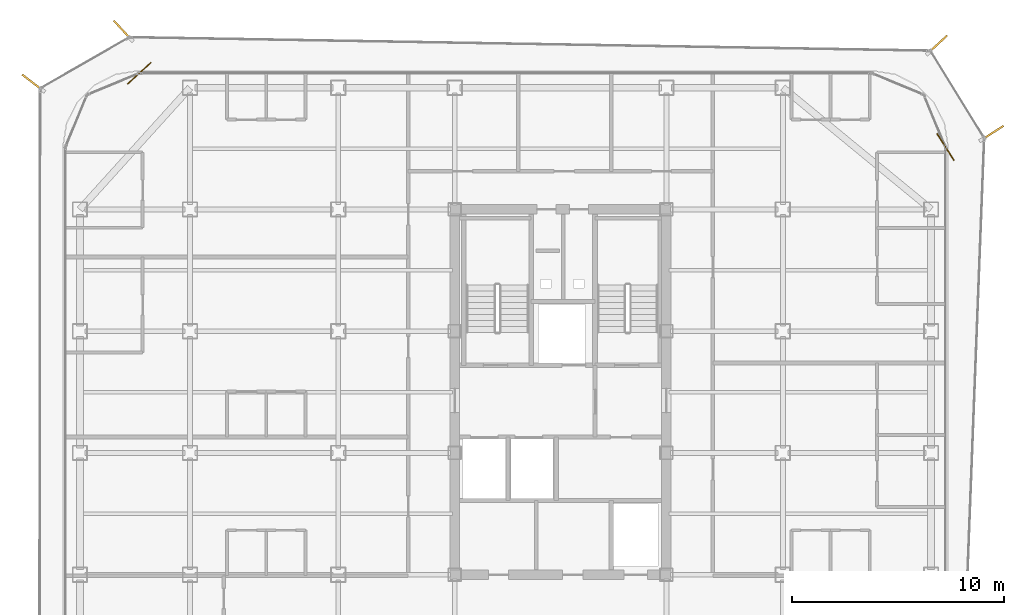
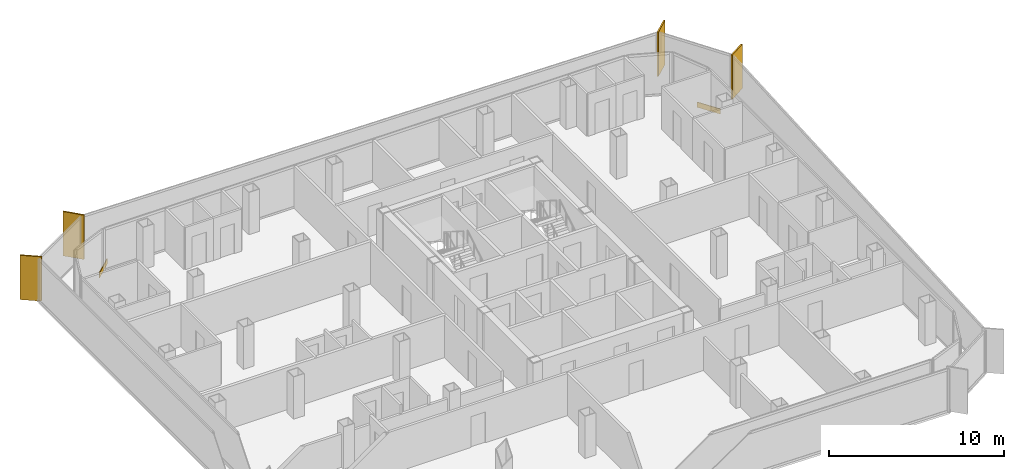
# One storey, part 15 of 15: 4 shading devices, 2 coverings.
"""IFC4 building model written with IfcOpenShell, lengths in metres."""

from ifc_helpers import new_model, si_unit, direction, frame, origin, origin_2d, place, context, subcontext, project, spatial, rectangle, extrude, source, transform, mapped, material, layer, layer_set, type_object, element, save


model = new_model("IFC4")

# Units and contexts
model_context = context("Model", 3, precision=1e-05, world=origin(), true_north=direction((0.0, 1.0)))
body_context = subcontext(model_context, "Body", "Model", "MODEL_VIEW")
ifc_project = project(units=[si_unit("LENGTHUNIT", "METRE"), si_unit("AREAUNIT", "SQUARE_METRE"), si_unit("VOLUMEUNIT", "CUBIC_METRE"), si_unit("PLANEANGLEUNIT", "RADIAN"), si_unit("MASSUNIT", "GRAM", prefix="KILO")], contexts=[model_context])

# Site, building, storey
site_placement = place(None, origin())
site = spatial("IfcSite", under=ifc_project, at=site_placement, CompositionType="ELEMENT")
building_placement = place(site_placement, origin())
building = spatial("IfcBuilding", under=site, at=building_placement, Name="Kolveth Station Tower", CompositionType="ELEMENT")
storey_placement = place(building_placement, frame((0.0, 0.0, 172.10009765625)))
storey = spatial("IfcBuildingStorey", under=building, at=storey_placement, Name="L48", CompositionType="ELEMENT", Elevation=172.10009765625)

# Shading devices
ifc_material_1 = material(Name="Black anodized aluminium 6063-T6", Category="aluminium")
shading_device_type = type_object("IfcShadingDeviceType", Name="FIN_VF1", PredefinedType="USERDEFINED", material=ifc_material_1)
shared_shape_1 = source(origin(), body_context, "Body", "SweptSolid", [
    extrude(rectangle(XDim=1.25, YDim=0.090087890625, at=origin_2d()), origin(), (0.0, 0.0, 1.0), 3.10009765625),
])
for number, where, z_axis, x_axis, name in (
    (1, (43.89306640625, 32.361083984375, -0.000244140625), (0.0, 0.0, 1.0), (0.842358350935, 0.538917812481, 0.0), "L48 Dark-Aluminium Solar Fin 3"),
    (2, (41.305908203125, 36.547119140625, -0.000244140625), (0.0, 0.0, 1.0), (0.733729864503, 0.679441304262, 0.0), "L48 Dark-Aluminium Solar Fin 4"),
    (3, (2.824951171875, 37.2080078125, -0.000244140625), (0.0, 0.0, 1.0), (-0.678672571739, 0.73444097133, 0.0), "L48 Dark-Aluminium Solar Fin 5"),
    (4, (-1.428955078125, 34.738037109375, -0.000244140625), (0.0, 0.0, 1.0), (-0.794096490407, 0.607791710969, 0.0), "L48 Dark-Aluminium Solar Fin 6"),
):
    element("IfcShadingDevice", number, at=place(storey_placement, frame(where, z_axis=z_axis, x_axis=x_axis)), inside=storey, type_object=shading_device_type, Name=name, ObjectType="FIN", PredefinedType="USERDEFINED", context=body_context, shape_type="MappedRepresentation", body=[
        mapped(shared_shape_1, transform((0.0, 0.0, 0.0), x_axis=(1.0, 0.0, 0.0), y_axis=(0.0, 1.0, 0.0), z_axis=(0.0, 0.0, 1.0), scale=1.0)),
    ])

# Coverings
ifc_material_2 = material(Name="Charcoal anodized aluminium spandrel cladding", Category="aluminium")
ifc_layer = layer(ifc_material_2, 0.044921875)
ifc_layer_set = layer_set([ifc_layer], Name="Charcoal anodized aluminium spandrel cladding")
covering_type = type_object("IfcCoveringType", Name="Clad_CD1", PredefinedType="CLADDING", material=ifc_layer_set)
shared_shape_2 = source(origin(), body_context, "Body", "SweptSolid", [
    extrude(rectangle(XDim=1.5, YDim=0.044921875, at=origin_2d()), origin(), (0.0, 0.0, 1.0), 0.360107421875),
])
for number, where, z_axis, x_axis, name in (
    (5, (41.679931640625, 31.699951171875, 0.0), (0.0, 0.0, 1.0), (-0.538917812481, 0.842358350935, 0.0), "L48 Spandrel Edge Cladding 3"),
    (6, (3.60009765625, 35.179931640625, 0.0), (0.0, 0.0, 1.0), (-0.73444097133, -0.678672571739, 0.0), "L48 Spandrel Edge Cladding 5"),
):
    element("IfcCovering", number, at=place(storey_placement, frame(where, z_axis=z_axis, x_axis=x_axis)), inside=storey, type_object=covering_type, Name=name, PredefinedType="CLADDING", context=body_context, shape_type="MappedRepresentation", body=[
        mapped(shared_shape_2, transform((0.0, 0.0, 0.0), x_axis=(1.0, 0.0, 0.0), y_axis=(0.0, 1.0, 0.0), z_axis=(0.0, 0.0, 1.0), scale=1.0)),
    ])

save(model, "model.ifc")
